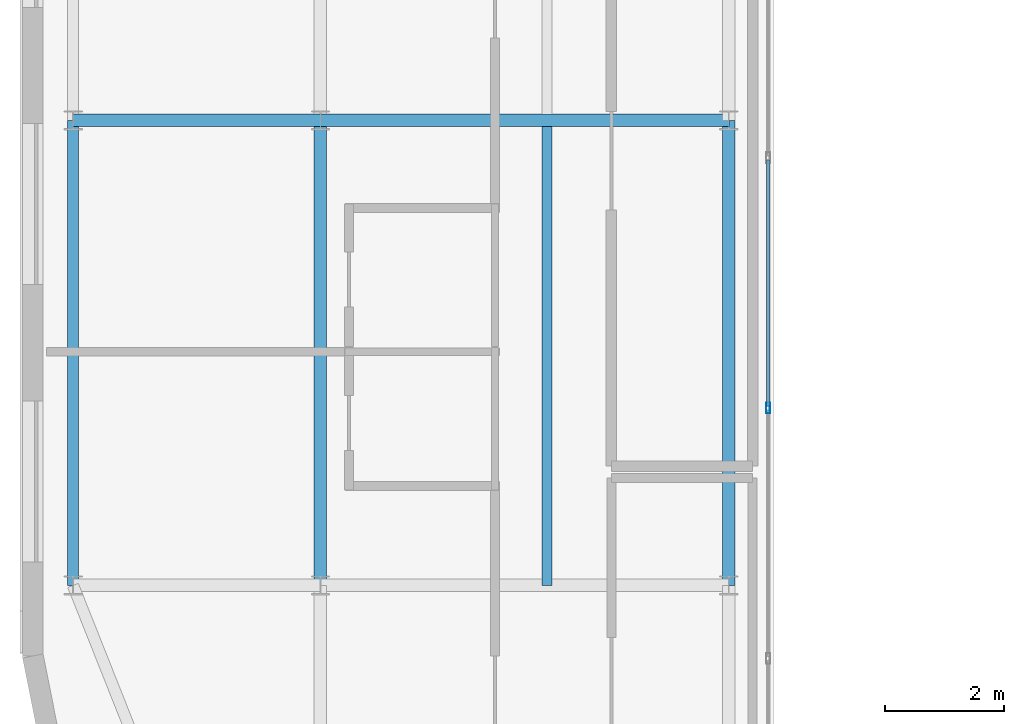
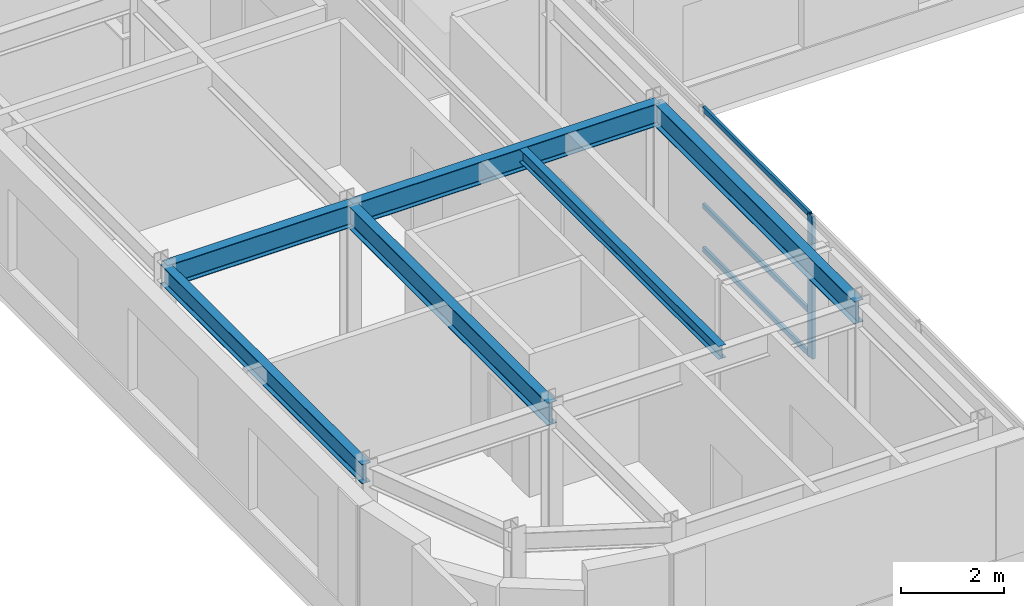
# One storey, part 5 of 21: 6 beams, 4 members, 1 element without a shape of its own.
"""IFC4 building model written with IfcOpenShell, lengths in metres."""

from ifc_helpers import new_model, si_unit, direction, frame, origin, origin_2d, place, context, subcontext, project, spatial, hollow_rectangle, i_section, extrude, source, transform, mapped, material, layer, layer_set, material_profile, profile_set, type_object, type_shapes, element, aggregate, save


model = new_model("IFC4")

# Units and contexts
model_context = context("Model", 3, precision=1e-05, world=origin(), true_north=direction((0.0, 1.0)))
body_context = subcontext(model_context, "Body", "Model", "MODEL_VIEW")
ifc_project = project(units=[si_unit("LENGTHUNIT", "METRE"), si_unit("AREAUNIT", "SQUARE_METRE"), si_unit("VOLUMEUNIT", "CUBIC_METRE"), si_unit("PLANEANGLEUNIT", "RADIAN"), si_unit("MASSUNIT", "GRAM", prefix="KILO")], contexts=[model_context])

# Site, building, storey
site_placement = place(None, origin())
site = spatial("IfcSite", under=ifc_project, at=site_placement, CompositionType="ELEMENT")
building_placement = place(site_placement, origin())
building = spatial("IfcBuilding", under=site, at=building_placement, Name="Tolvann Quenvar Hotel", CompositionType="ELEMENT")
storey_placement = place(building_placement, frame((0.0, 0.0, 255.85009765625)))
storey = spatial("IfcBuildingStorey", under=building, at=storey_placement, Name="L68", CompositionType="ELEMENT", Elevation=255.85009765625)

# Beams
ifc_material_1 = material(Name="Steel Grade 350", Category="steel")
ifc_material_profile_1 = material_profile(ifc_material_1, i_section(OverallWidth=0.208984375, OverallDepth=0.532958984375, WebThickness=0.01025390625, FlangeThickness=0.015625, FilletRadius=0.013916015625, at=origin_2d()), Name="530UB92")
ifc_profile_set_1 = profile_set([ifc_material_profile_1], Name="Steel Grade 350")
beam_type_1 = type_object("IfcBeamType", Name="BM_GIRD_530UB92", PredefinedType="BEAM", material=ifc_profile_set_1)
shared_shape_1 = source(origin(), body_context, "Body", "SweptSolid", [
    extrude(i_section(OverallWidth=0.208984375, OverallDepth=0.532958984375, WebThickness=0.01025390625, FlangeThickness=0.015625, FilletRadius=0.013916015625, at=origin_2d()), origin(), (0.0, 0.0, 1.0), 7.800048828125),
])
for number, where, z_axis, x_axis, name in (
    (1, (7.60009765625, 8.199951171875, 3.103515625), (0.0, 1.0, 0.0), (-1.0, 0.0, 0.0), "BM-L68-NS-C3-C4"),
    (2, (14.449951171875, 8.199951171875, 3.103515625), (0.0, 1.0, 0.0), (-1.0, 0.0, 0.0), "BM-L68-NS-D3-D4"),
):
    element("IfcBeam", number, at=place(storey_placement, frame(where, z_axis=z_axis, x_axis=x_axis)), inside=storey, type_object=beam_type_1, Name=name, PredefinedType="BEAM", context=body_context, shape_type="MappedRepresentation", body=[
        mapped(shared_shape_1, transform((0.0, 0.0, 0.0), x_axis=(1.0, 0.0, 0.0), y_axis=(0.0, 1.0, 0.0), z_axis=(0.0, 0.0, 1.0), scale=1.0)),
    ])
ifc_material_profile_2 = material_profile(ifc_material_1, i_section(OverallWidth=0.19091796875, OverallDepth=0.4599609375, WebThickness=0.010009765625, FlangeThickness=0.01611328125, FilletRadius=0.011474609375, at=origin_2d()), Name="460UB82")
ifc_profile_set_2 = profile_set([ifc_material_profile_2], Name="Steel Grade 350")
beam_type_2 = type_object("IfcBeamType", Name="BM_SPAND_460UB82", PredefinedType="SPANDREL", material=ifc_profile_set_2)
shared_shape_2 = source(origin(), body_context, "Body", "SweptSolid", [
    extrude(i_section(OverallWidth=0.19091796875, OverallDepth=0.4599609375, WebThickness=0.010009765625, FlangeThickness=0.01611328125, FilletRadius=0.011474609375, at=origin_2d()), origin(), (0.0, 0.0, 1.0), 7.800048828125),
])
type_shapes(beam_type_2, [shared_shape_2])
beam_1_placement = place(storey_placement, frame((3.449951171875, 8.199951171875, 3.139892578125), z_axis=(0.0, 1.0, 0.0), x_axis=(-1.0, 0.0, 0.0)))
element("IfcBeam", 3, at=beam_1_placement, inside=storey, type_object=beam_type_2, Name="BM-L68-NS-B3-B4", PredefinedType="SPANDREL", context=body_context, shape_type="MappedRepresentation", body=[
    mapped(shared_shape_2, transform((0.0, 0.0, 0.0), x_axis=(1.0, 0.0, 0.0), y_axis=(0.0, 1.0, 0.0), z_axis=(0.0, 0.0, 1.0), scale=1.0)),
])
shared_shape_3 = source(origin(), body_context, "Body", "SweptSolid", [
    extrude(i_section(OverallWidth=0.208984375, OverallDepth=0.532958984375, WebThickness=0.01025390625, FlangeThickness=0.015625, FilletRadius=0.013916015625, at=origin_2d()), origin(), (0.0, 0.0, 1.0), 4.150146484375),
])
beam_2_placement = place(storey_placement, frame((3.449951171875, 16.0, 3.103515625), z_axis=(1.0, 0.0, 0.0), x_axis=(0.0, 1.0, 0.0)))
element("IfcBeam", 4, at=beam_2_placement, inside=storey, type_object=beam_type_1, Name="BM-L68-EW-4-B4-C4", PredefinedType="BEAM", context=body_context, shape_type="MappedRepresentation", body=[
    mapped(shared_shape_3, transform((0.0, 0.0, 0.0), x_axis=(1.0, 0.0, 0.0), y_axis=(0.0, 1.0, 0.0), z_axis=(0.0, 0.0, 1.0), scale=1.0)),
])
shared_shape_4 = source(origin(), body_context, "Body", "SweptSolid", [
    extrude(i_section(OverallWidth=0.208984375, OverallDepth=0.532958984375, WebThickness=0.01025390625, FlangeThickness=0.015625, FilletRadius=0.013916015625, at=origin_2d()), origin(), (0.0, 0.0, 1.0), 6.849853515625),
])
type_shapes(beam_type_1, [shared_shape_1, shared_shape_3, shared_shape_4])
beam_3_placement = place(storey_placement, frame((7.60009765625, 16.0, 3.103515625), z_axis=(1.0, 0.0, 0.0), x_axis=(0.0, 1.0, 0.0)))
element("IfcBeam", 5, at=beam_3_placement, inside=storey, type_object=beam_type_1, Name="BM-L68-EW-4-C4-D4", PredefinedType="BEAM", context=body_context, shape_type="MappedRepresentation", body=[
    mapped(shared_shape_4, transform((0.0, 0.0, 0.0), x_axis=(1.0, 0.0, 0.0), y_axis=(0.0, 1.0, 0.0), z_axis=(0.0, 0.0, 1.0), scale=1.0)),
])
ifc_material_profile_3 = material_profile(ifc_material_1, i_section(OverallWidth=0.166015625, OverallDepth=0.306884765625, WebThickness=0.006591796875, FlangeThickness=0.01171875, FilletRadius=0.011474609375, at=origin_2d()), Name="310UB46")
ifc_profile_set_3 = profile_set([ifc_material_profile_3], Name="Steel Grade 350")
beam_type_3 = type_object("IfcBeamType", Name="BM_JOIST_310UB46", PredefinedType="JOIST", material=ifc_profile_set_3)
shared_shape_5 = source(origin(), body_context, "Body", "SweptSolid", [
    extrude(i_section(OverallWidth=0.166015625, OverallDepth=0.306884765625, WebThickness=0.006591796875, FlangeThickness=0.01171875, FilletRadius=0.011474609375, at=origin_2d()), origin(), (0.0, 0.0, 1.0), 7.70166015625),
])
type_shapes(beam_type_3, [shared_shape_5])
beam_4_placement = place(storey_placement, frame((11.39990234375, 8.199951171875, 3.21630859375), z_axis=(0.0, 1.0, 0.0), x_axis=(-1.0, 0.0, 0.0)))
element("IfcBeam", 6, at=beam_4_placement, inside=storey, type_object=beam_type_3, Name="BJ-L68-114-82", PredefinedType="JOIST", context=body_context, shape_type="MappedRepresentation", body=[
    mapped(shared_shape_5, transform((0.0, 0.0, 0.0), x_axis=(1.0, 0.0, 0.0), y_axis=(0.0, 1.0, 0.0), z_axis=(0.0, 0.0, 1.0), scale=1.0)),
])

# Curtain wall, members
ifc_material_2 = material(Name="Thermally broken anodised architectural aluminium 6063-T6 and laminated low-E glass", Category="aluminium")
ifc_layer = layer(ifc_material_2, 0.179931640625)
ifc_layer_set = layer_set([ifc_layer], Name="Thermally broken anodised architectural aluminium 6063-T6 and laminated low-E glass")
curtain_wall_type = type_object("IfcCurtainWallType", Name="CW_SYS_PORTAL_05", PredefinedType="USERDEFINED", material=ifc_layer_set)
curtain_wall_placement = place(storey_placement, origin())
curtain_wall = element("IfcCurtainWall", 7, at=curtain_wall_placement, inside=storey, type_object=curtain_wall_type, Name="Curtain Wall CW-PORTAL-05 (CWR-L68-E05)", ObjectType="UNITISED CURTAIN WALL", PredefinedType="USERDEFINED")
ifc_material_3 = material(Name="Anodised architectural aluminium 6063-T6 framing", Category="aluminium")
ifc_material_profile_4 = material_profile(ifc_material_3, hollow_rectangle(XDim=0.070068359375, YDim=0.179931640625, WallThickness=0.00390625, at=origin_2d()), Name="180x70x4RHS")
ifc_profile_set_4 = profile_set([ifc_material_profile_4], Name="Anodised architectural aluminium 6063-T6 framing")
member_type_1 = type_object("IfcMemberType", Name="CW_MULL_180x70", PredefinedType="MULLION", material=ifc_profile_set_4)
shared_shape_6 = source(origin(), body_context, "Body", "SweptSolid", [
    extrude(hollow_rectangle(XDim=0.070068359375, YDim=0.179931640625, WallThickness=0.00390625, at=origin_2d()), origin(), (0.0, 0.0, 1.0), 3.369873046875),
])
type_shapes(member_type_1, [shared_shape_6])
member_1_placement = place(storey_placement, frame((15.110107421875, 11.175048828125, 0.0), z_axis=(0.0, 0.0, 1.0), x_axis=(-1.0, 0.0, 0.0)))
member_1 = element("IfcMember", 8, at=member_1_placement, type_object=member_type_1, Name="CW-PORTAL-05 mullion 3", PredefinedType="MULLION", context=body_context, shape_type="MappedRepresentation", body=[
    mapped(shared_shape_6, transform((0.0, 0.0, 0.0), x_axis=(1.0, 0.0, 0.0), y_axis=(0.0, 1.0, 0.0), z_axis=(0.0, 0.0, 1.0), scale=1.0)),
])
ifc_material_profile_5 = material_profile(ifc_material_3, hollow_rectangle(XDim=0.06005859375, YDim=0.1201171875, WallThickness=0.00341796875, at=origin_2d()), Name="120x60x3.5RHS")
ifc_profile_set_5 = profile_set([ifc_material_profile_5], Name="Anodised architectural aluminium 6063-T6 framing")
member_type_2 = type_object("IfcMemberType", Name="CW_TRAN_120x60", PredefinedType="USERDEFINED", material=ifc_profile_set_5)
shared_shape_7 = source(origin(), body_context, "Body", "SweptSolid", [
    extrude(hollow_rectangle(XDim=0.06005859375, YDim=0.1201171875, WallThickness=0.00341796875, at=origin_2d()), origin(), (0.0, 0.0, 1.0), 4.130126953125),
])
type_shapes(member_type_2, [shared_shape_7])
member_2_placement = place(storey_placement, frame((15.110107421875, 11.2099609375, 0.02978515625), z_axis=(0.0, 1.0, 0.0), x_axis=(-1.0, 0.0, 0.0)))
member_2 = element("IfcMember", 9, at=member_2_placement, type_object=member_type_2, Name="CW-PORTAL-05 transom 3.1", ObjectType="TRANSOM", PredefinedType="USERDEFINED", context=body_context, shape_type="MappedRepresentation", body=[
    mapped(shared_shape_7, transform((0.0, 0.0, 0.0), x_axis=(1.0, 0.0, 0.0), y_axis=(0.0, 1.0, 0.0), z_axis=(0.0, 0.0, 1.0), scale=1.0)),
])
member_3_placement = place(storey_placement, frame((15.110107421875, 11.2099609375, 1.0498046875), z_axis=(0.0, 1.0, 0.0), x_axis=(-1.0, 0.0, 0.0)))
member_3 = element("IfcMember", 10, at=member_3_placement, type_object=member_type_2, Name="CW-PORTAL-05 transom 3.2", ObjectType="TRANSOM", PredefinedType="USERDEFINED", context=body_context, shape_type="MappedRepresentation", body=[
    mapped(shared_shape_7, transform((0.0, 0.0, 0.0), x_axis=(1.0, 0.0, 0.0), y_axis=(0.0, 1.0, 0.0), z_axis=(0.0, 0.0, 1.0), scale=1.0)),
])
member_4_placement = place(storey_placement, frame((15.110107421875, 11.2099609375, 3.33984375), z_axis=(0.0, 1.0, 0.0), x_axis=(-1.0, 0.0, 0.0)))
member_4 = element("IfcMember", 11, at=member_4_placement, type_object=member_type_2, Name="CW-PORTAL-05 transom 3.3", ObjectType="TRANSOM", PredefinedType="USERDEFINED", context=body_context, shape_type="MappedRepresentation", body=[
    mapped(shared_shape_7, transform((0.0, 0.0, 0.0), x_axis=(1.0, 0.0, 0.0), y_axis=(0.0, 1.0, 0.0), z_axis=(0.0, 0.0, 1.0), scale=1.0)),
])
aggregate(curtain_wall, [member_1, member_2, member_3, member_4])

save(model, "model.ifc")
